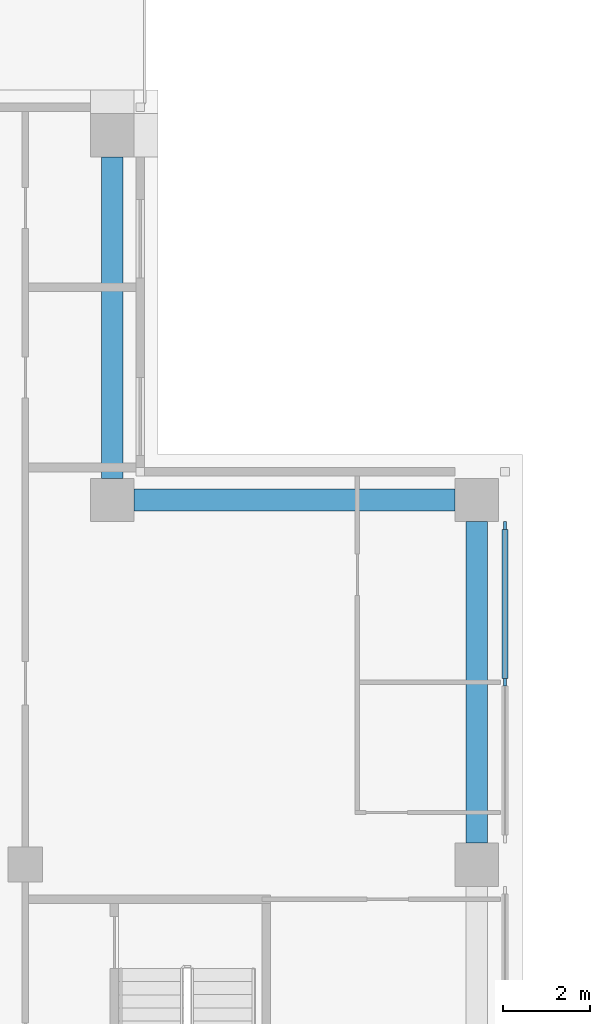
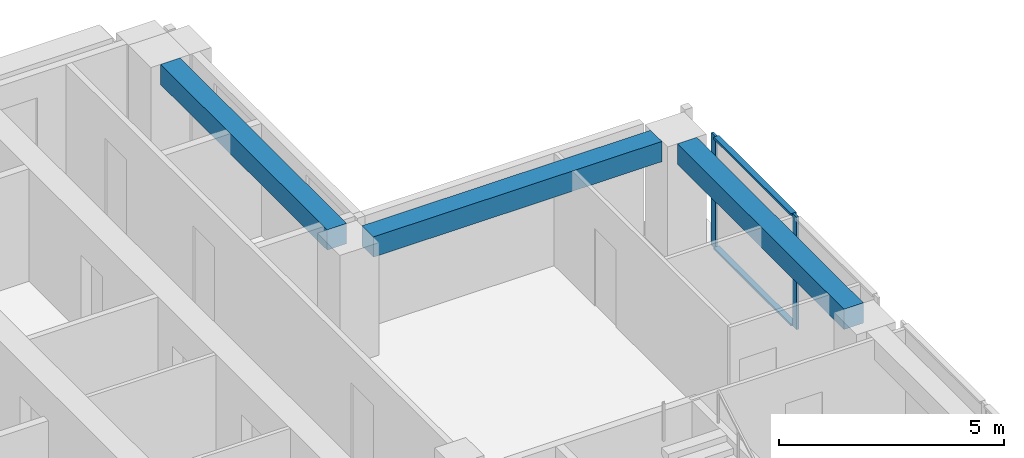
# One storey, part 6 of 17: 4 members, 3 beams, 1 element without a shape of its own.
"""IFC4 building model written with IfcOpenShell, lengths in metres."""

from ifc_helpers import new_model, si_unit, direction, frame, origin, origin_2d, place, context, subcontext, project, spatial, rectangle, extrude, material, material_profile, profile_set, type_object, element, aggregate, save


model = new_model("IFC4")

# Units and contexts
model_context = context("Model", 3, precision=1e-05, world=origin(), true_north=direction((0.0, 1.0)))
body_context = subcontext(model_context, "Body", "Model", "MODEL_VIEW")
ifc_project = project(units=[si_unit("LENGTHUNIT", "METRE"), si_unit("AREAUNIT", "SQUARE_METRE"), si_unit("VOLUMEUNIT", "CUBIC_METRE"), si_unit("PLANEANGLEUNIT", "RADIAN"), si_unit("MASSUNIT", "GRAM", prefix="KILO")], contexts=[model_context])

# Site, building, storey
site_placement = place(None, origin())
site = spatial("IfcSite", under=ifc_project, at=site_placement, CompositionType="ELEMENT")
building_placement = place(site_placement, origin())
building = spatial("IfcBuilding", under=site, at=building_placement, Name="Vermilion Ogive Tower", CompositionType="ELEMENT")
storey_placement = place(building_placement, frame((0.0, 0.0, 189.35009765625)))
storey = spatial("IfcBuildingStorey", under=building, at=storey_placement, Name="L49", CompositionType="ELEMENT", Elevation=189.35009765625)

# Curtain wall, members
ifc_material_1 = material(Name="Low-iron laminated glazing in aluminium frame", Category="aluminium")
curtain_wall_type = type_object("IfcCurtainWallType", Name="Curtain wall CW7", PredefinedType="NOTDEFINED", material=ifc_material_1)
curtain_wall_placement = place(storey_placement, origin())
curtain_wall = element("IfcCurtainWall", 1, at=curtain_wall_placement, inside=storey, type_object=curtain_wall_type, Name="Glazed skin E3", PredefinedType="NOTDEFINED")
ifc_material_2 = material(Name="Aluminium mullion", Category="aluminium")
ifc_material_profile_1 = material_profile(ifc_material_2, rectangle(XDim=0.06005859375, YDim=0.179931640625, at=origin_2d()), Name="AL 60x180")
ifc_profile_set_1 = profile_set([ifc_material_profile_1], Name="Aluminium mullion")
member_type_1 = type_object("IfcMemberType", Name="CW7 mullion 60x180", PredefinedType="MULLION", material=ifc_profile_set_1)
member_1_placement = place(storey_placement, frame((25.85009765625, 8.39990234375, 0.0), z_axis=(0.0, 0.0, 1.0), x_axis=(-1.0, 0.0, 0.0)))
member_1 = element("IfcMember", 2, at=member_1_placement, type_object=member_type_1, Name="CW7-E3 mullion 2", PredefinedType="MULLION", context=body_context, shape_type="SweptSolid", body=[
    extrude(rectangle(XDim=0.06005859375, YDim=0.179931640625, at=origin_2d()), origin(), (0.0, 0.0, 1.0), 3.0498046875),
])
member_2_placement = place(storey_placement, frame((25.85009765625, 12.010009765625, 0.0), z_axis=(0.0, 0.0, 1.0), x_axis=(-1.0, 0.0, 0.0)))
member_2 = element("IfcMember", 3, at=member_2_placement, type_object=member_type_1, Name="CW7-E3 mullion 3", PredefinedType="MULLION", context=body_context, shape_type="SweptSolid", body=[
    extrude(rectangle(XDim=0.06005859375, YDim=0.179931640625, at=origin_2d()), origin(), (0.0, 0.0, 1.0), 3.0498046875),
])
ifc_material_3 = material(Name="Aluminium transom", Category="aluminium")
ifc_material_profile_2 = material_profile(ifc_material_3, rectangle(XDim=0.139892578125, YDim=0.06005859375, at=origin_2d()), Name="AL 60x140")
ifc_profile_set_2 = profile_set([ifc_material_profile_2], Name="Aluminium transom")
member_type_2 = type_object("IfcMemberType", Name="CW7 transom 60x140", PredefinedType="USERDEFINED", material=ifc_profile_set_2)
member_3_placement = place(storey_placement, frame((25.85009765625, 8.489990234375, 0.02978515625), z_axis=(0.0, 1.0, 0.0), x_axis=(-1.0, 0.0, 0.0)))
member_3 = element("IfcMember", 4, at=member_3_placement, type_object=member_type_2, Name="CW7-E3 transom 2.1", ObjectType="TRANSOM", PredefinedType="USERDEFINED", context=body_context, shape_type="SweptSolid", body=[
    extrude(rectangle(XDim=0.139892578125, YDim=0.06005859375, at=origin_2d()), origin(), (0.0, 0.0, 1.0), 3.429931640625),
])
member_4_placement = place(storey_placement, frame((25.85009765625, 8.489990234375, 3.02001953125), z_axis=(0.0, 1.0, 0.0), x_axis=(-1.0, 0.0, 0.0)))
member_4 = element("IfcMember", 5, at=member_4_placement, type_object=member_type_2, Name="CW7-E3 transom 2.2", ObjectType="TRANSOM", PredefinedType="USERDEFINED", context=body_context, shape_type="SweptSolid", body=[
    extrude(rectangle(XDim=0.139892578125, YDim=0.06005859375, at=origin_2d()), origin(), (0.0, 0.0, 1.0), 3.429931640625),
])
aggregate(curtain_wall, [member_1, member_2, member_3, member_4])

# Beams
ifc_material_4 = material(Name="Concrete B45", Category="concrete")
ifc_material_profile_3 = material_profile(ifc_material_4, rectangle(XDim=0.5, YDim=0.550048828125, at=origin_2d()), Name="500 x 550")
ifc_profile_set_3 = profile_set([ifc_material_profile_3], Name="Concrete B45")
beam_type = type_object("IfcBeamType", Name="Edge beam 500 x 550 B45", PredefinedType="BEAM", material=ifc_profile_set_3)
beam_placement = place(storey_placement, frame((25.199951171875, 4.699951171875, 2.77490234375), z_axis=(0.0, 1.0, 0.0), x_axis=(-1.0, 0.0, 0.0)))
element("IfcBeam", 6, at=beam_placement, inside=storey, type_object=beam_type, Name="L49-EB-9", PredefinedType="BEAM", context=body_context, shape_type="SweptSolid", body=[
    extrude(rectangle(XDim=0.5, YDim=0.550048828125, at=origin_2d()), origin(), (0.0, 0.0, 1.0), 7.400146484375),
])
for number, where, z_axis, x_axis, name in (
    (7, (24.699951171875, 12.60009765625, 2.77490234375), (-1.0, 0.0, 0.0), (0.0, -1.0, 0.0), "L49-EB-10"),
    (8, (16.800048828125, 13.10009765625, 2.77490234375), (0.0, 1.0, 0.0), (-1.0, 0.0, 0.0), "L49-EB-11"),
):
    element("IfcBeam", number, at=place(storey_placement, frame(where, z_axis=z_axis, x_axis=x_axis)), inside=storey, type_object=beam_type, Name=name, PredefinedType="BEAM", context=body_context, shape_type="SweptSolid", body=[
        extrude(rectangle(XDim=0.5, YDim=0.550048828125, at=origin_2d()), origin(), (0.0, 0.0, 1.0), 7.39990234375),
    ])

save(model, "model.ifc")
